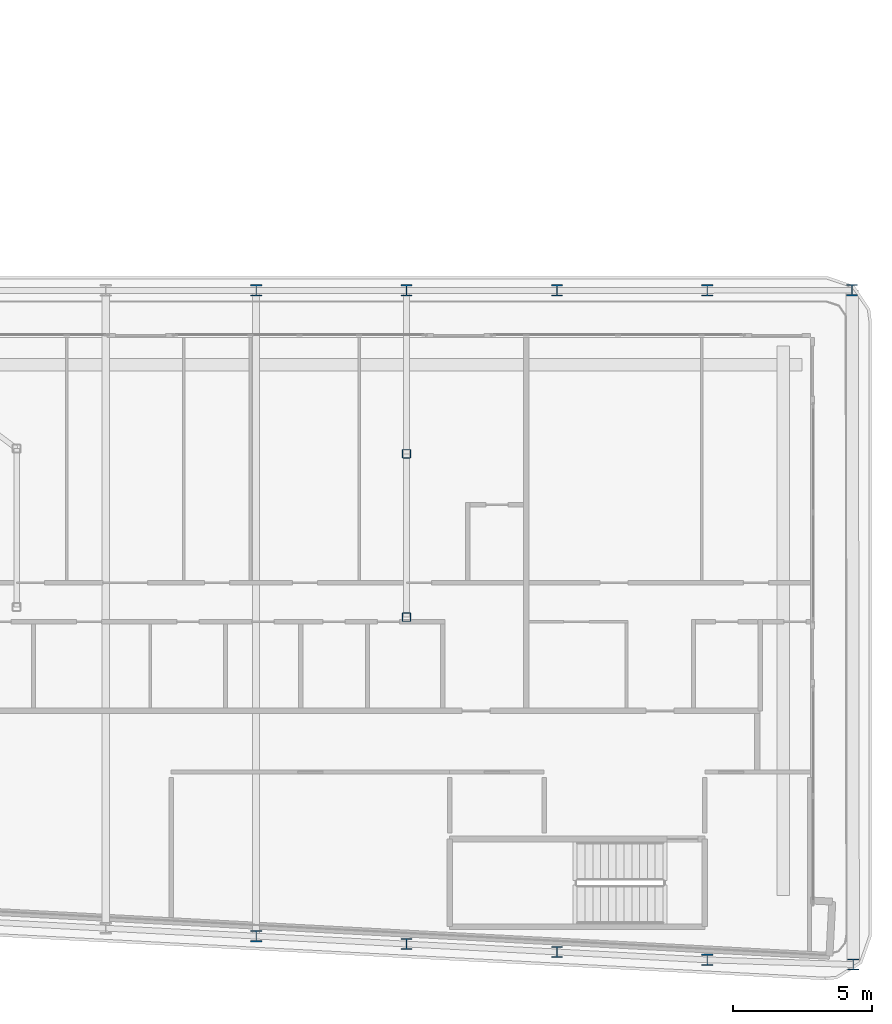
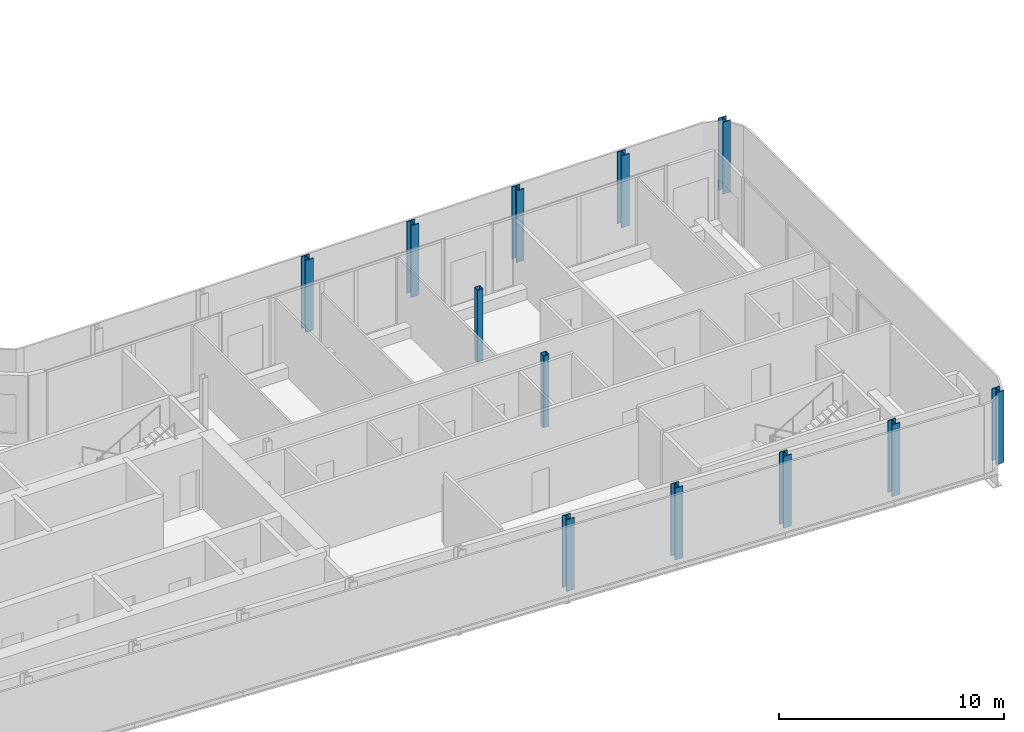
# One storey, part 2 of 21: 12 columns.
"""IFC4 building model written with IfcOpenShell, lengths in metres."""

from ifc_helpers import new_model, si_unit, direction, frame, origin, origin_2d, place, context, subcontext, project, spatial, hollow_rectangle, i_section, extrude, material, material_profile, profile_set, type_object, element, save


model = new_model("IFC4")

# Units and contexts
model_context = context("Model", 3, precision=1e-05, world=origin(), true_north=direction((0.0, 1.0)))
body_context = subcontext(model_context, "Body", "Model", "MODEL_VIEW")
ifc_project = project(units=[si_unit("LENGTHUNIT", "METRE"), si_unit("AREAUNIT", "SQUARE_METRE"), si_unit("VOLUMEUNIT", "CUBIC_METRE"), si_unit("PLANEANGLEUNIT", "RADIAN"), si_unit("MASSUNIT", "GRAM", prefix="KILO")], contexts=[model_context])

# Site, building, storey
site_placement = place(None, origin())
site = spatial("IfcSite", under=ifc_project, at=site_placement, CompositionType="ELEMENT")
building_placement = place(site_placement, origin())
building = spatial("IfcBuilding", under=site, at=building_placement, Name="Kheshtan School and Residences Tower", CompositionType="ELEMENT")
storey_placement = place(building_placement, frame((0.0, 0.0, 224.0)))
storey = spatial("IfcBuildingStorey", under=building, at=storey_placement, Name="L52", CompositionType="ELEMENT", Elevation=224.0)

# Columns
ifc_material_1 = material(Name="Steel ASTM A992 Grade 50", Category="steel")
ifc_material_profile_1 = material_profile(ifc_material_1, i_section(OverallWidth=0.404052734375, OverallDepth=0.406982421875, WebThickness=0.027099609375, FlangeThickness=0.043701171875, FilletRadius=0.01220703125, at=origin_2d()), Name="W360x347")
ifc_profile_set_1 = profile_set([ifc_material_profile_1], Name="Steel ASTM A992 Grade 50")
column_type_1 = type_object("IfcColumnType", Name="Column C4 W360x347 ASTM A992 Grade 50", PredefinedType="COLUMN", material=ifc_profile_set_1)
for number, where, z_axis, x_axis, name in (
    (1, (85.238037109375, 21.39111328125, 0.0), (0.0, 0.0, 1.0), (1.0, 0.0, 0.0), "Column C009"),
    (2, (80.0, 21.55810546875, 0.0), (0.0, 0.0, 1.0), (1.0, 0.0, 0.0), "Column C012"),
    (3, (74.60009765625, 21.843017578125, 0.0), (0.0, 0.0, 1.0), (1.0, 0.0, 0.0), "Column C013"),
    (4, (69.199951171875, 22.126953125, 0.0), (0.0, 0.0, 1.0), (1.0, 0.0, 0.0), "Column C014"),
    (5, (63.800048828125, 22.410888671875, 0.0), (0.0, 0.0, 1.0), (1.0, 0.0, 0.0), "Column C016"),
    (6, (63.800048828125, 45.60009765625, 0.0), (0.0, 0.0, 1.0), (1.0, 0.0, 0.0), "Column C063"),
    (7, (69.199951171875, 45.60009765625, 0.0), (0.0, 0.0, 1.0), (1.0, 0.0, 0.0), "Column C064"),
    (8, (74.60009765625, 45.60009765625, 0.0), (0.0, 0.0, 1.0), (1.0, 0.0, 0.0), "Column C065"),
    (9, (80.0, 45.60009765625, 0.0), (0.0, 0.0, 1.0), (1.0, 0.0, 0.0), "Column C066"),
    (10, (85.199951171875, 45.60693359375, 0.0), (0.0, 0.0, 1.0), (1.0, 0.0, 0.0), "Column C071"),
):
    element("IfcColumn", number, at=place(storey_placement, frame(where, z_axis=z_axis, x_axis=x_axis)), inside=storey, type_object=column_type_1, Name=name, PredefinedType="COLUMN", context=body_context, shape_type="SweptSolid", body=[
        extrude(i_section(OverallWidth=0.404052734375, OverallDepth=0.406982421875, WebThickness=0.027099609375, FlangeThickness=0.043701171875, FilletRadius=0.01220703125, at=origin_2d()), origin(), (0.0, 0.0, 1.0), 3.89990234375),
    ])
ifc_material_2 = material(Name="Steel ASTM A500 Grade C", Category="steel")
ifc_material_profile_2 = material_profile(ifc_material_2, hollow_rectangle(XDim=0.304931640625, YDim=0.304931640625, WallThickness=0.015869140625, InnerFilletRadius=0.015869140625, OuterFilletRadius=0.03173828125, at=origin_2d()), Name="HSS 305x305x15.9")
ifc_profile_set_2 = profile_set([ifc_material_profile_2], Name="Steel ASTM A500 Grade C")
column_type_2 = type_object("IfcColumnType", Name="Column IC2 HSS 305x305x15.9 ASTM A500 Grade C", PredefinedType="COLUMN", material=ifc_profile_set_2)
for number, where, z_axis, x_axis, name in (
    (11, (69.199951171875, 33.863037109375, 0.0), (0.0, 0.0, 1.0), (1.0, 0.0, 0.0), "Column C050"),
    (12, (69.199951171875, 39.73193359375, 0.0), (0.0, 0.0, 1.0), (1.0, 0.0, 0.0), "Column C054"),
):
    element("IfcColumn", number, at=place(storey_placement, frame(where, z_axis=z_axis, x_axis=x_axis)), inside=storey, type_object=column_type_2, Name=name, PredefinedType="COLUMN", context=body_context, shape_type="SweptSolid", body=[
        extrude(hollow_rectangle(XDim=0.304931640625, YDim=0.304931640625, WallThickness=0.015869140625, InnerFilletRadius=0.015869140625, OuterFilletRadius=0.03173828125, at=origin_2d()), origin(), (0.0, 0.0, 1.0), 3.89990234375),
    ])

save(model, "model.ifc")
